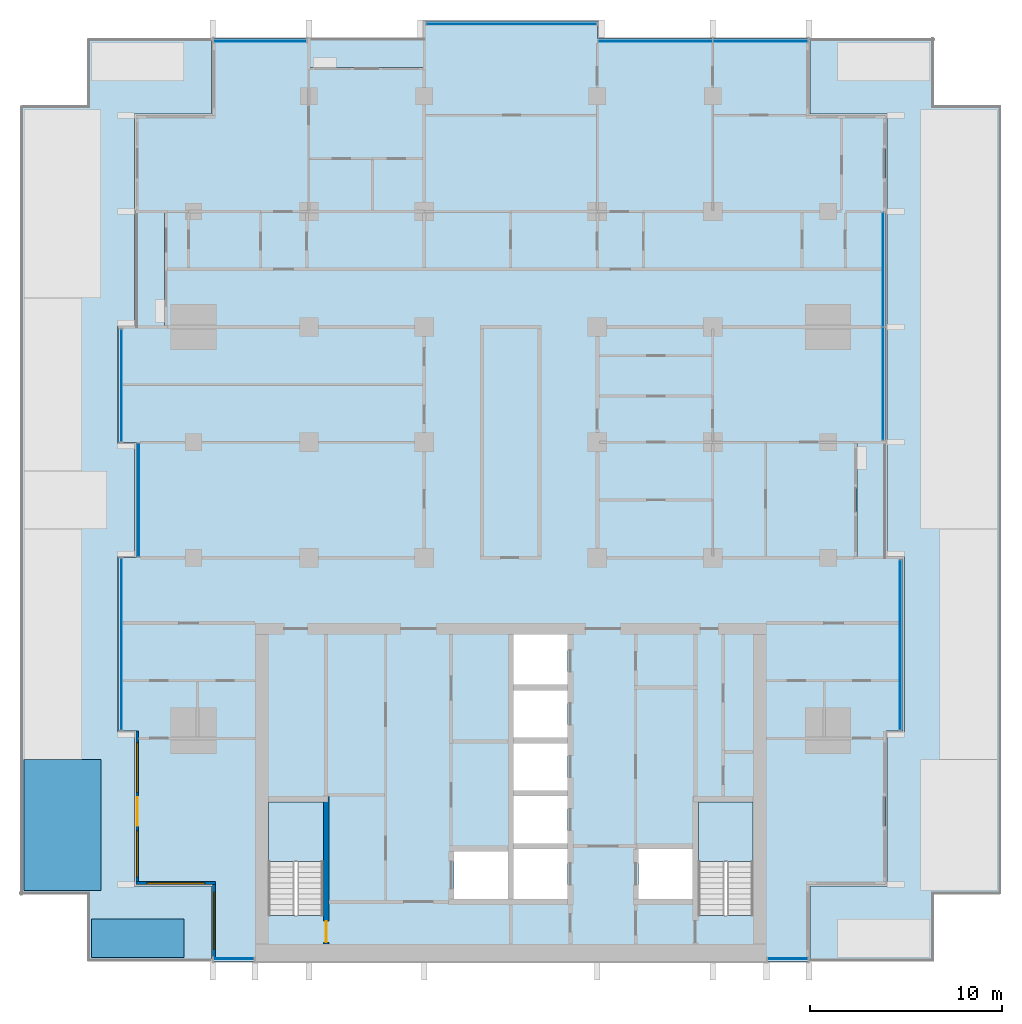
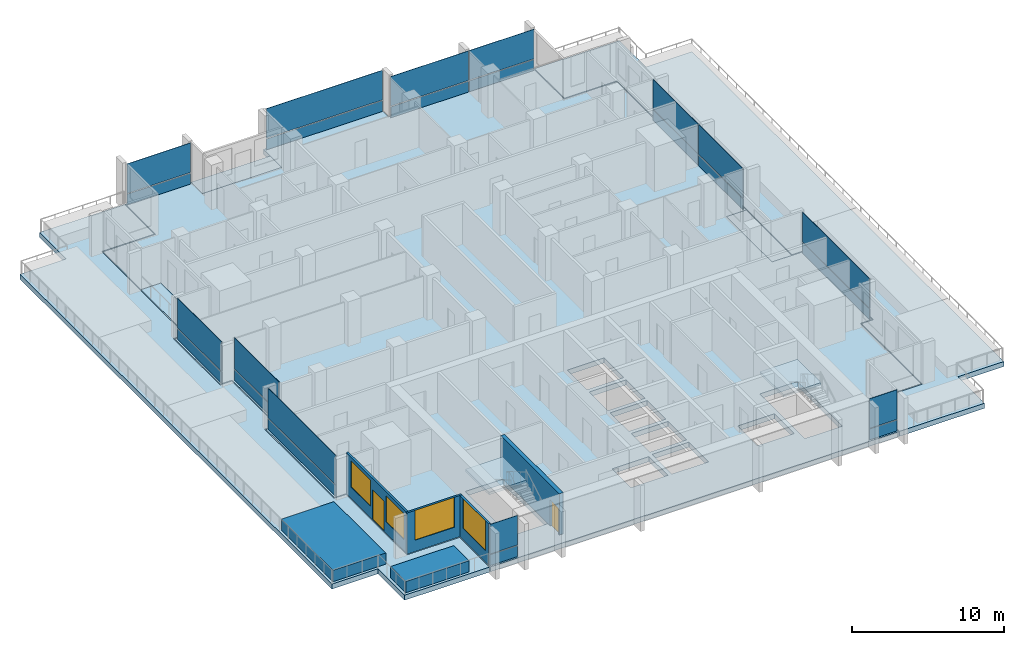
# One storey, part 6 of 18: 24 plates, 8 slabs, 6 walls, 4 windows, 2 doors, 6 openings, 12 elements without a shape of their own.
"""IFC4 building model written with IfcOpenShell, lengths in metres."""

from ifc_helpers import new_model, si_unit, direction, frame, frame_2d, origin, origin_2d, place, context, subcontext, project, spatial, polyline, rectangle, outline, extrude, material, layer, layer_set, type_object, element, fill, aggregate, save


model = new_model("IFC4")

# Units and contexts
model_context = context("Model", 3, precision=1e-05, world=origin(), true_north=direction((0.0, 1.0)))
body_context = subcontext(model_context, "Body", "Model", "MODEL_VIEW")
ifc_project = project(units=[si_unit("LENGTHUNIT", "METRE"), si_unit("AREAUNIT", "SQUARE_METRE"), si_unit("VOLUMEUNIT", "CUBIC_METRE"), si_unit("PLANEANGLEUNIT", "RADIAN"), si_unit("MASSUNIT", "GRAM", prefix="KILO")], contexts=[model_context])

# Site, building, storey
site_placement = place(None, origin())
site = spatial("IfcSite", under=ifc_project, at=site_placement, CompositionType="ELEMENT")
building_placement = place(site_placement, origin())
building = spatial("IfcBuilding", under=site, at=building_placement, Name="Finial Court Residences", CompositionType="ELEMENT")
storey_placement = place(building_placement, frame((0.0, 0.0, 149.300048828125)))
storey = spatial("IfcBuildingStorey", under=building, at=storey_placement, Name="L36", CompositionType="ELEMENT", Elevation=149.300048828125)

# Slabs
ifc_material_1 = material(Name="Concrete C35/45", Category="concrete")
ifc_layer_1 = layer(ifc_material_1, 0.199951171875)
ifc_layer_set_1 = layer_set([ifc_layer_1], Name="Balcony slab, Concrete C35/45 200")
slab_type_1 = type_object("IfcSlabType", Name="Balcony slab, Concrete C35/45 200", PredefinedType="FLOOR", material=ifc_layer_set_1)
slab_1_placement = place(storey_placement, frame((0.0, 0.0, -0.199951171875)))
element("IfcSlab", 1, at=slab_1_placement, inside=storey, type_object=slab_type_1, Name="Balcony L36-N2", PredefinedType="FLOOR", context=body_context, shape_type="SweptSolid", body=[
    extrude(outline(polyline([(-4.5, 21.0), (-4.5, 22.5), (-10.5, 22.5), (-10.5, 21.0), (-4.5, 21.0)])), origin(), (0.0, 0.0, 1.0), 0.199951171875),
])
slab_2_placement = place(storey_placement, frame((0.0, 0.0, -0.199951171875)))
element("IfcSlab", 2, at=slab_2_placement, inside=storey, type_object=slab_type_1, Name="Balcony L36-E3", PredefinedType="FLOOR", context=body_context, shape_type="SweptSolid", body=[
    extrude(outline(polyline([(19.5, -4.5), (19.5, 1.5), (18.0, 1.5), (18.0, -4.5), (19.5, -4.5)])), origin(), (0.0, 0.0, 1.0), 0.199951171875),
])
slab_3_placement = place(storey_placement, frame((0.0, 0.0, -0.199951171875)))
element("IfcSlab", 3, at=slab_3_placement, inside=storey, type_object=slab_type_1, Name="Balcony L36-W5", PredefinedType="FLOOR", context=body_context, shape_type="SweptSolid", body=[
    extrude(outline(polyline([(-18.0, 7.5), (-18.0, 13.5), (-19.5, 13.5), (-19.5, 7.5), (-18.0, 7.5)])), origin(), (0.0, 0.0, 1.0), 0.199951171875),
])

# Curtain wall, plate
ifc_material_2 = material(Name="Bronze anodised aluminium", Category="aluminium")
curtain_wall_type = type_object("IfcCurtainWallType", Name="Unitised curtain wall, upper zones", PredefinedType="NOTDEFINED", material=ifc_material_2)
curtain_wall_1_placement = place(storey_placement, origin())
curtain_wall_1 = element("IfcCurtainWall", 4, at=curtain_wall_1_placement, inside=storey, type_object=curtain_wall_type, Name="E-L36-CW-N1", PredefinedType="NOTDEFINED")
ifc_layer_2 = layer(ifc_material_2, 0.035888671875)
ifc_layer_set_2 = layer_set([ifc_layer_2], Name="CW2 spandrel panel 36")
plate_type_1 = type_object("IfcPlateType", Name="CW2 spandrel panel 36", PredefinedType="CURTAIN_PANEL", material=ifc_layer_set_2)
plate_1_placement = place(storey_placement, frame((-13.03759765625, 22.35009765625, 0.0), z_axis=(0.0, 0.0, 1.0), x_axis=(1.0, 0.0, 0.0)))
plate_1 = element("IfcPlate", 5, at=plate_1_placement, type_object=plate_type_1, Name="CW2 spandrel 1.1", PredefinedType="CURTAIN_PANEL", context=body_context, shape_type="SweptSolid", body=[
    extrude(rectangle(XDim=4.804931640625, YDim=0.035888671875, at=origin_2d()), origin(), (0.0, 0.0, 1.0), 0.8701171875),
])

curtain_wall_2_placement = place(storey_placement, origin())
curtain_wall_2 = element("IfcCurtainWall", 6, at=curtain_wall_2_placement, inside=storey, type_object=curtain_wall_type, Name="E-L36-CW-N2", PredefinedType="NOTDEFINED")
plate_2_placement = place(storey_placement, frame((0.03759765625, 23.25, 0.0), z_axis=(0.0, 0.0, 1.0), x_axis=(1.0, 0.0, 0.0)))
plate_2 = element("IfcPlate", 7, at=plate_2_placement, type_object=plate_type_1, Name="CW2 spandrel 1.1", PredefinedType="CURTAIN_PANEL", context=body_context, shape_type="SweptSolid", body=[
    extrude(rectangle(XDim=8.804931640625, YDim=0.035888671875, at=origin_2d()), origin(), (0.0, 0.0, 1.0), 0.8701171875),
])

# Curtain wall, plates
curtain_wall_3_placement = place(storey_placement, origin())
curtain_wall_3 = element("IfcCurtainWall", 8, at=curtain_wall_3_placement, inside=storey, type_object=curtain_wall_type, Name="E-L36-CW-N3", PredefinedType="NOTDEFINED")
plate_3_placement = place(storey_placement, frame((7.514892578125, 22.35009765625, 0.0), z_axis=(0.0, 0.0, 1.0), x_axis=(1.0, 0.0, 0.0)))
plate_3 = element("IfcPlate", 9, at=plate_3_placement, type_object=plate_type_1, Name="CW2 spandrel 1.1", PredefinedType="CURTAIN_PANEL", context=body_context, shape_type="SweptSolid", body=[
    extrude(rectangle(XDim=5.909912109375, YDim=0.035888671875, at=origin_2d()), origin(), (0.0, 0.0, 1.0), 0.8701171875),
])
plate_4_placement = place(storey_placement, frame((12.985107421875, 22.35009765625, 0.0), z_axis=(0.0, 0.0, 1.0), x_axis=(1.0, 0.0, 0.0)))
plate_4 = element("IfcPlate", 10, at=plate_4_placement, type_object=plate_type_1, Name="CW2 spandrel 2.1", PredefinedType="CURTAIN_PANEL", context=body_context, shape_type="SweptSolid", body=[
    extrude(rectangle(XDim=4.909912109375, YDim=0.035888671875, at=origin_2d()), origin(), (0.0, 0.0, 1.0), 0.8701171875),
])

# Curtain wall, plate
curtain_wall_4_placement = place(storey_placement, origin())
curtain_wall_4 = element("IfcCurtainWall", 11, at=curtain_wall_4_placement, inside=storey, type_object=curtain_wall_type, Name="E-L36-CW-E4", PredefinedType="NOTDEFINED")
plate_5_placement = place(storey_placement, frame((20.25, -9.03759765625, 0.0), z_axis=(0.0, 0.0, 1.0), x_axis=(0.0, 1.0, 0.0)))
plate_5 = element("IfcPlate", 12, at=plate_5_placement, type_object=plate_type_1, Name="CW2 spandrel 1.1", PredefinedType="CURTAIN_PANEL", context=body_context, shape_type="SweptSolid", body=[
    extrude(rectangle(XDim=8.804931640625, YDim=0.035888671875, at=origin_2d()), origin(), (0.0, 0.0, 1.0), 0.8701171875),
])

# Curtain wall, plates
curtain_wall_5_placement = place(storey_placement, origin())
curtain_wall_5 = element("IfcCurtainWall", 13, at=curtain_wall_5_placement, inside=storey, type_object=curtain_wall_type, Name="E-L36-CW-E5", PredefinedType="NOTDEFINED")
plate_6_placement = place(storey_placement, frame((19.35009765625, 4.552490234375, 0.0), z_axis=(0.0, 0.0, 1.0), x_axis=(0.0, 1.0, 0.0)))
plate_6 = element("IfcPlate", 14, at=plate_6_placement, type_object=plate_type_1, Name="CW2 spandrel 1.1", PredefinedType="CURTAIN_PANEL", context=body_context, shape_type="SweptSolid", body=[
    extrude(rectangle(XDim=5.8349609375, YDim=0.035888671875, at=origin_2d()), origin(), (0.0, 0.0, 1.0), 0.8701171875),
])
plate_7_placement = place(storey_placement, frame((19.35009765625, 10.485107421875, 0.0), z_axis=(0.0, 0.0, 1.0), x_axis=(0.0, 1.0, 0.0)))
plate_7 = element("IfcPlate", 15, at=plate_7_placement, type_object=plate_type_1, Name="CW2 spandrel 2.1", PredefinedType="CURTAIN_PANEL", context=body_context, shape_type="SweptSolid", body=[
    extrude(rectangle(XDim=5.909912109375, YDim=0.035888671875, at=origin_2d()), origin(), (0.0, 0.0, 1.0), 0.8701171875),
])

# Curtain wall, plate
curtain_wall_6_placement = place(storey_placement, origin())
curtain_wall_6 = element("IfcCurtainWall", 16, at=curtain_wall_6_placement, inside=storey, type_object=curtain_wall_type, Name="E-L36-CW-S6", PredefinedType="NOTDEFINED")
plate_8_placement = place(storey_placement, frame((-14.39990234375, -25.35009765625, 0.0), z_axis=(0.0, 0.0, 1.0), x_axis=(1.0, 0.0, 0.0)))
plate_8 = element("IfcPlate", 17, at=plate_8_placement, type_object=plate_type_1, Name="CW2 spandrel 1.1", PredefinedType="CURTAIN_PANEL", context=body_context, shape_type="SweptSolid", body=[
    extrude(rectangle(XDim=2.080078125, YDim=0.035888671875, at=origin_2d()), origin(), (0.0, 0.0, 1.0), 0.8701171875),
])

curtain_wall_7_placement = place(storey_placement, origin())
curtain_wall_7 = element("IfcCurtainWall", 18, at=curtain_wall_7_placement, inside=storey, type_object=curtain_wall_type, Name="E-L36-CW-S7", PredefinedType="NOTDEFINED")
plate_9_placement = place(storey_placement, frame((14.39990234375, -25.35009765625, 0.0), z_axis=(0.0, 0.0, 1.0), x_axis=(1.0, 0.0, 0.0)))
plate_9 = element("IfcPlate", 19, at=plate_9_placement, type_object=plate_type_1, Name="CW2 spandrel 1.1", PredefinedType="CURTAIN_PANEL", context=body_context, shape_type="SweptSolid", body=[
    extrude(rectangle(XDim=2.080078125, YDim=0.035888671875, at=origin_2d()), origin(), (0.0, 0.0, 1.0), 0.8701171875),
])

curtain_wall_8_placement = place(storey_placement, origin())
curtain_wall_8 = element("IfcCurtainWall", 20, at=curtain_wall_8_placement, inside=storey, type_object=curtain_wall_type, Name="E-L36-CW-W8", PredefinedType="NOTDEFINED")
plate_10_placement = place(storey_placement, frame((-20.25, -9.0, 0.0), z_axis=(0.0, 0.0, 1.0), x_axis=(0.0, 1.0, 0.0)))
plate_10 = element("IfcPlate", 21, at=plate_10_placement, type_object=plate_type_1, Name="CW2 spandrel 1.1", PredefinedType="CURTAIN_PANEL", context=body_context, shape_type="SweptSolid", body=[
    extrude(rectangle(XDim=8.8798828125, YDim=0.035888671875, at=origin_2d()), origin(), (0.0, 0.0, 1.0), 0.8701171875),
])

curtain_wall_9_placement = place(storey_placement, origin())
curtain_wall_9 = element("IfcCurtainWall", 22, at=curtain_wall_9_placement, inside=storey, type_object=curtain_wall_type, Name="E-L36-CW-W9", PredefinedType="NOTDEFINED")
plate_11_placement = place(storey_placement, frame((-19.35009765625, -1.5, 0.0), z_axis=(0.0, 0.0, 1.0), x_axis=(0.0, 1.0, 0.0)))
plate_11 = element("IfcPlate", 23, at=plate_11_placement, type_object=plate_type_1, Name="CW2 spandrel 1.1", PredefinedType="CURTAIN_PANEL", context=body_context, shape_type="SweptSolid", body=[
    extrude(rectangle(XDim=5.8798828125, YDim=0.035888671875, at=origin_2d()), origin(), (0.0, 0.0, 1.0), 0.8701171875),
])

curtain_wall_10_placement = place(storey_placement, origin())
curtain_wall_10 = element("IfcCurtainWall", 24, at=curtain_wall_10_placement, inside=storey, type_object=curtain_wall_type, Name="E-L36-CW-W10", PredefinedType="NOTDEFINED")
plate_12_placement = place(storey_placement, frame((-20.25, 4.46240234375, 0.0), z_axis=(0.0, 0.0, 1.0), x_axis=(0.0, 1.0, 0.0)))
plate_12 = element("IfcPlate", 25, at=plate_12_placement, type_object=plate_type_1, Name="CW2 spandrel 1.1", PredefinedType="CURTAIN_PANEL", context=body_context, shape_type="SweptSolid", body=[
    extrude(rectangle(XDim=5.804931640625, YDim=0.035888671875, at=origin_2d()), origin(), (0.0, 0.0, 1.0), 0.8701171875),
])

# Plate
ifc_material_3 = material(Name="Clear low-e glass", Category="glass")
ifc_layer_3 = layer(ifc_material_3, 0.030029296875)
ifc_layer_set_3 = layer_set([ifc_layer_3], Name="CW2 vision glass 30")
plate_type_2 = type_object("IfcPlateType", Name="CW2 vision glass 30", PredefinedType="CURTAIN_PANEL", material=ifc_layer_set_3)
plate_13_placement = place(storey_placement, frame((-13.03759765625, 22.35009765625, 0.929931640625), z_axis=(0.0, 0.0, 1.0), x_axis=(1.0, 0.0, 0.0)))
plate_13 = element("IfcPlate", 26, at=plate_13_placement, type_object=plate_type_2, Name="CW2 glass 1.2", PredefinedType="CURTAIN_PANEL", context=body_context, shape_type="SweptSolid", body=[
    extrude(rectangle(XDim=4.804931640625, YDim=0.030029296875, at=origin_2d()), origin(), (0.0, 0.0, 1.0), 2.3701171875),
])

aggregate(curtain_wall_1, [plate_1, plate_13])

plate_14_placement = place(storey_placement, frame((0.03759765625, 23.25, 0.929931640625), z_axis=(0.0, 0.0, 1.0), x_axis=(1.0, 0.0, 0.0)))
plate_14 = element("IfcPlate", 27, at=plate_14_placement, type_object=plate_type_2, Name="CW2 glass 1.2", PredefinedType="CURTAIN_PANEL", context=body_context, shape_type="SweptSolid", body=[
    extrude(rectangle(XDim=8.804931640625, YDim=0.030029296875, at=origin_2d()), origin(), (0.0, 0.0, 1.0), 2.3701171875),
])

aggregate(curtain_wall_2, [plate_2, plate_14])

plate_15_placement = place(storey_placement, frame((7.514892578125, 22.35009765625, 0.929931640625), z_axis=(0.0, 0.0, 1.0), x_axis=(1.0, 0.0, 0.0)))
plate_15 = element("IfcPlate", 28, at=plate_15_placement, type_object=plate_type_2, Name="CW2 glass 1.2", PredefinedType="CURTAIN_PANEL", context=body_context, shape_type="SweptSolid", body=[
    extrude(rectangle(XDim=5.909912109375, YDim=0.030029296875, at=origin_2d()), origin(), (0.0, 0.0, 1.0), 2.3701171875),
])

plate_16_placement = place(storey_placement, frame((12.985107421875, 22.35009765625, 0.929931640625), z_axis=(0.0, 0.0, 1.0), x_axis=(1.0, 0.0, 0.0)))
plate_16 = element("IfcPlate", 29, at=plate_16_placement, type_object=plate_type_2, Name="CW2 glass 2.2", PredefinedType="CURTAIN_PANEL", context=body_context, shape_type="SweptSolid", body=[
    extrude(rectangle(XDim=4.909912109375, YDim=0.030029296875, at=origin_2d()), origin(), (0.0, 0.0, 1.0), 2.3701171875),
])

aggregate(curtain_wall_3, [plate_3, plate_15, plate_4, plate_16])

plate_17_placement = place(storey_placement, frame((20.25, -9.03759765625, 0.929931640625), z_axis=(0.0, 0.0, 1.0), x_axis=(0.0, 1.0, 0.0)))
plate_17 = element("IfcPlate", 30, at=plate_17_placement, type_object=plate_type_2, Name="CW2 glass 1.2", PredefinedType="CURTAIN_PANEL", context=body_context, shape_type="SweptSolid", body=[
    extrude(rectangle(XDim=8.804931640625, YDim=0.030029296875, at=origin_2d()), origin(), (0.0, 0.0, 1.0), 2.3701171875),
])

aggregate(curtain_wall_4, [plate_5, plate_17])

plate_18_placement = place(storey_placement, frame((19.35009765625, 4.552490234375, 0.929931640625), z_axis=(0.0, 0.0, 1.0), x_axis=(0.0, 1.0, 0.0)))
plate_18 = element("IfcPlate", 31, at=plate_18_placement, type_object=plate_type_2, Name="CW2 glass 1.2", PredefinedType="CURTAIN_PANEL", context=body_context, shape_type="SweptSolid", body=[
    extrude(rectangle(XDim=5.8349609375, YDim=0.030029296875, at=origin_2d()), origin(), (0.0, 0.0, 1.0), 2.3701171875),
])

plate_19_placement = place(storey_placement, frame((19.35009765625, 10.485107421875, 0.929931640625), z_axis=(0.0, 0.0, 1.0), x_axis=(0.0, 1.0, 0.0)))
plate_19 = element("IfcPlate", 32, at=plate_19_placement, type_object=plate_type_2, Name="CW2 glass 2.2", PredefinedType="CURTAIN_PANEL", context=body_context, shape_type="SweptSolid", body=[
    extrude(rectangle(XDim=5.909912109375, YDim=0.030029296875, at=origin_2d()), origin(), (0.0, 0.0, 1.0), 2.3701171875),
])

aggregate(curtain_wall_5, [plate_6, plate_18, plate_7, plate_19])

plate_20_placement = place(storey_placement, frame((-14.39990234375, -25.35009765625, 0.929931640625), z_axis=(0.0, 0.0, 1.0), x_axis=(1.0, 0.0, 0.0)))
plate_20 = element("IfcPlate", 33, at=plate_20_placement, type_object=plate_type_2, Name="CW2 glass 1.2", PredefinedType="CURTAIN_PANEL", context=body_context, shape_type="SweptSolid", body=[
    extrude(rectangle(XDim=2.080078125, YDim=0.030029296875, at=origin_2d()), origin(), (0.0, 0.0, 1.0), 2.3701171875),
])

aggregate(curtain_wall_6, [plate_8, plate_20])

plate_21_placement = place(storey_placement, frame((14.39990234375, -25.35009765625, 0.929931640625), z_axis=(0.0, 0.0, 1.0), x_axis=(1.0, 0.0, 0.0)))
plate_21 = element("IfcPlate", 34, at=plate_21_placement, type_object=plate_type_2, Name="CW2 glass 1.2", PredefinedType="CURTAIN_PANEL", context=body_context, shape_type="SweptSolid", body=[
    extrude(rectangle(XDim=2.080078125, YDim=0.030029296875, at=origin_2d()), origin(), (0.0, 0.0, 1.0), 2.3701171875),
])

aggregate(curtain_wall_7, [plate_9, plate_21])

plate_22_placement = place(storey_placement, frame((-20.25, -9.0, 0.929931640625), z_axis=(0.0, 0.0, 1.0), x_axis=(0.0, 1.0, 0.0)))
plate_22 = element("IfcPlate", 35, at=plate_22_placement, type_object=plate_type_2, Name="CW2 glass 1.2", PredefinedType="CURTAIN_PANEL", context=body_context, shape_type="SweptSolid", body=[
    extrude(rectangle(XDim=8.8798828125, YDim=0.030029296875, at=origin_2d()), origin(), (0.0, 0.0, 1.0), 2.3701171875),
])

aggregate(curtain_wall_8, [plate_10, plate_22])

plate_23_placement = place(storey_placement, frame((-19.35009765625, -1.5, 0.93017578125), z_axis=(0.0, 0.0, 1.0), x_axis=(0.0, 1.0, 0.0)))
plate_23 = element("IfcPlate", 36, at=plate_23_placement, type_object=plate_type_2, Name="CW2 glass 1.2", PredefinedType="CURTAIN_PANEL", context=body_context, shape_type="SweptSolid", body=[
    extrude(rectangle(XDim=5.8798828125, YDim=0.030029296875, at=origin_2d()), origin(), (0.0, 0.0, 1.0), 2.469970703125),
])

aggregate(curtain_wall_9, [plate_11, plate_23])

plate_24_placement = place(storey_placement, frame((-20.25, 4.46240234375, 0.929931640625), z_axis=(0.0, 0.0, 1.0), x_axis=(0.0, 1.0, 0.0)))
plate_24 = element("IfcPlate", 37, at=plate_24_placement, type_object=plate_type_2, Name="CW2 glass 1.2", PredefinedType="CURTAIN_PANEL", context=body_context, shape_type="SweptSolid", body=[
    extrude(rectangle(XDim=5.804931640625, YDim=0.030029296875, at=origin_2d()), origin(), (0.0, 0.0, 1.0), 2.3701171875),
])

aggregate(curtain_wall_10, [plate_12, plate_24])

# Stair, slab
ifc_material_4 = material(Name="Concrete C50/60", Category="concrete")
stair_type = type_object("IfcStairType", Name="Exit stair 22 risers of 163.6 mm", PredefinedType="HALF_TURN_STAIR", material=ifc_material_4)
stair_1_placement = place(storey_placement, origin())
stair_1 = element("IfcStair", 38, at=stair_1_placement, inside=storey, type_object=stair_type, Name="L36 Exit stair ST-1", PredefinedType="HALF_TURN_STAIR")
ifc_layer_4 = layer(ifc_material_4, 0.199951171875)
ifc_layer_set_4 = layer_set([ifc_layer_4], Name="Exit stair landing")
slab_type_2 = type_object("IfcSlabType", Name="Exit stair landing", PredefinedType="LANDING", material=ifc_layer_set_4)
slab_4_placement = place(storey_placement, frame((0.0, 0.0, 1.599853515625)))
slab_4 = element("IfcSlab", 39, at=slab_4_placement, type_object=slab_type_2, Name="ST-1 landing 1", PredefinedType="LANDING", context=body_context, shape_type="SweptSolid", body=[
    extrude(outline(polyline([(-9.75, -20.300048828125), (-9.75, -17.199951171875), (-12.60009765625, -17.199951171875), (-12.60009765625, -20.300048828125), (-9.75, -20.300048828125)])), origin(), (0.0, 0.0, 1.0), 0.2001953125),
])
aggregate(stair_1, [slab_4])

stair_2_placement = place(storey_placement, origin())
stair_2 = element("IfcStair", 40, at=stair_2_placement, inside=storey, type_object=stair_type, Name="L36 Exit stair ST-2", PredefinedType="HALF_TURN_STAIR")
slab_5_placement = place(storey_placement, frame((0.0, 0.0, 1.599853515625)))
slab_5 = element("IfcSlab", 41, at=slab_5_placement, type_object=slab_type_2, Name="ST-2 landing 1", PredefinedType="LANDING", context=body_context, shape_type="SweptSolid", body=[
    extrude(outline(polyline([(12.60009765625, -20.300048828125), (12.60009765625, -17.199951171875), (9.75, -17.199951171875), (9.75, -20.300048828125), (12.60009765625, -20.300048828125)])), origin(), (0.0, 0.0, 1.0), 0.2001953125),
])
aggregate(stair_2, [slab_5])

# Slabs
ifc_material_5 = material(Name="Concrete C40/50", Category="concrete")
ifc_layer_5 = layer(ifc_material_5, 0.39990234375)
ifc_layer_set_5 = layer_set([ifc_layer_5], Name="Flat plate slab 400 Concrete C40/50")
slab_type_3 = type_object("IfcSlabType", Name="Flat plate slab 400 Concrete C40/50", PredefinedType="FLOOR", material=ifc_layer_set_5)
slab_6_placement = place(storey_placement, frame((0.0, 0.0, -0.400146484375)))
element("IfcSlab", 42, at=slab_6_placement, inside=storey, type_object=slab_type_3, Name="S:SLAB:L36", PredefinedType="FLOOR", context=body_context, shape_type="SweptSolid", body=[
    extrude(outline(polyline([(-19.5, 1.5), (-20.39990234375, 1.5), (-20.39990234375, 7.5), (-19.5, 7.5), (-18.0, 7.5), (-18.0, 13.5), (-19.5, 13.5), (-19.5, 18.5), (-15.5, 18.5), (-15.5, 22.5), (-10.5, 22.5), (-10.5, 21.0), (-4.5, 21.0), (-4.5, 22.5), (-4.5, 23.39990234375), (4.5, 23.39990234375), (4.5, 22.5), (15.5, 22.5), (15.5, 18.5), (19.5, 18.5), (19.5, 1.5), (18.0, 1.5), (18.0, -4.5), (19.5, -4.5), (20.39990234375, -4.5), (20.39990234375, -13.5), (19.5, -13.5), (19.5, -21.5), (15.5, -21.5), (15.5, -25.5), (-15.5, -25.5), (-15.5, -21.5), (-19.5, -21.5), (-19.5, -13.5), (-20.39990234375, -13.5), (-20.39990234375, -4.5), (-19.5, -4.5), (-19.5, 1.5)]), holes=[polyline([(-0.14990234375, -19.77001953125), (-2.949951171875, -19.77001953125), (-2.949951171875, -22.25), (-0.14990234375, -22.25), (-0.14990234375, -19.77001953125)]), polyline([(2.949951171875, -19.64990234375), (0.14990234375, -19.64990234375), (0.14990234375, -22.25), (2.949951171875, -22.25), (2.949951171875, -19.64990234375)]), polyline([(9.449951171875, -19.64990234375), (6.64990234375, -19.64990234375), (6.64990234375, -22.25), (9.449951171875, -22.25), (9.449951171875, -19.64990234375)]), polyline([(-12.60009765625, -17.199951171875), (-12.60009765625, -23.09912109375), (-9.75, -23.09912109375), (-9.75, -17.199951171875), (-12.60009765625, -17.199951171875)]), polyline([(9.75, -17.199951171875), (9.75, -23.09912109375), (12.60009765625, -23.09912109375), (12.60009765625, -17.199951171875), (9.75, -17.199951171875)]), polyline([(2.949951171875, -16.89990234375), (0.14990234375, -16.89990234375), (0.14990234375, -19.35009765625), (2.949951171875, -19.35009765625), (2.949951171875, -16.89990234375)]), polyline([(2.949951171875, -14.14990234375), (0.14990234375, -14.14990234375), (0.14990234375, -16.60009765625), (2.949951171875, -16.60009765625), (2.949951171875, -14.14990234375)]), polyline([(2.949951171875, -13.85009765625), (2.949951171875, -11.39990234375), (0.14990234375, -11.39990234375), (0.14990234375, -13.85009765625), (2.949951171875, -13.85009765625)]), polyline([(2.949951171875, -11.10009765625), (2.949951171875, -8.5), (0.14990234375, -8.5), (0.14990234375, -11.10009765625), (2.949951171875, -11.10009765625)])]), origin(), (0.0, 0.0, 1.0), 0.400146484375),
])
ifc_layer_6 = layer(ifc_material_5, 0.39990234375)
ifc_layer_set_6 = layer_set([ifc_layer_6], Name="Terrace slab, Concrete C40/50 400")
slab_type_4 = type_object("IfcSlabType", Name="Terrace slab, Concrete C40/50 400", PredefinedType="FLOOR", material=ifc_layer_set_6)
slab_7_placement = place(storey_placement, frame((0.0, 0.0, -0.400146484375)))
element("IfcSlab", 43, at=slab_7_placement, inside=storey, type_object=slab_type_4, Name="Terrace L36 1", PredefinedType="FLOOR", context=body_context, shape_type="SweptSolid", body=[
    extrude(outline(polyline([(22.0, 22.5), (22.0, 19.0), (25.5, 19.0), (25.5, -22.0), (22.0, -22.0), (22.0, -25.5), (15.56005859375, -25.5), (15.56005859375, -21.56005859375), (19.56005859375, -21.56005859375), (19.56005859375, -13.56005859375), (20.4599609375, -13.56005859375), (20.4599609375, -4.43994140625), (19.56005859375, -4.43994140625), (19.56005859375, 18.56005859375), (15.56005859375, 18.56005859375), (15.56005859375, 22.5), (22.0, 22.5)])), origin(), (0.0, 0.0, 1.0), 0.400146484375),
])
slab_8_placement = place(storey_placement, frame((0.0, 0.0, -0.400146484375)))
element("IfcSlab", 44, at=slab_8_placement, inside=storey, type_object=slab_type_4, Name="Terrace L36 2", PredefinedType="FLOOR", context=body_context, shape_type="SweptSolid", body=[
    extrude(outline(polyline([(-25.5, -22.0), (-25.5, 19.0), (-22.0, 19.0), (-22.0, 22.5), (-15.56005859375, 22.5), (-15.56005859375, 18.56005859375), (-19.56005859375, 18.56005859375), (-19.56005859375, 7.56005859375), (-20.4599609375, 7.56005859375), (-20.4599609375, 1.43994140625), (-19.56005859375, 1.43994140625), (-19.56005859375, -4.43994140625), (-20.4599609375, -4.43994140625), (-20.4599609375, -13.56005859375), (-19.56005859375, -13.56005859375), (-19.56005859375, -21.56005859375), (-15.56005859375, -21.56005859375), (-15.56005859375, -25.5), (-22.0, -25.5), (-22.0, -22.0), (-25.5, -22.0)])), origin(), (0.0, 0.0, 1.0), 0.400146484375),
])

# Wall, opening, door
ifc_material_6 = material(Name="Concrete C70/85", Category="concrete")
ifc_layer_7 = layer(ifc_material_6, 0.300048828125)
ifc_layer_set_7 = layer_set([ifc_layer_7], Name="Lift shaft and stair wall 300 Concrete C70/85")
wall_type_1 = type_object("IfcWallType", Name="Lift shaft and stair wall 300 Concrete C70/85", PredefinedType="SHEAR", material=ifc_layer_set_7)
wall_1_placement = place(storey_placement, frame((-9.60009765625, -24.60009765625, 0.0), z_axis=(0.0, 0.0, 1.0), x_axis=(0.0, 1.0, 0.0)))
wall_1 = element("IfcWall", 45, at=wall_1_placement, inside=storey, type_object=wall_type_1, Name="Core wall L36-17", PredefinedType="SHEAR", context=body_context, shape_type="SweptSolid", body=[
    extrude(rectangle(XDim=7.7001953125, YDim=0.300048828125, at=frame_2d((3.85009765625, 0.0))), origin(), (0.0, 0.0, 1.0), 3.300048828125),
])
opening_1_placement = place(wall_1_placement, frame((0.10009765625, 0.0, 0.0)))
opening_1 = element("IfcOpeningElement", 46, at=opening_1_placement, cuts=wall_1, Name="Opening L36-C17", PredefinedType="OPENING", context=body_context, shape_type="SweptSolid", body=[
    extrude(rectangle(XDim=1.10009765625, YDim=2.10009765625, at=frame_2d((0.550048828125, 1.050048828125))), frame((0.0, 0.159912109375, 0.0), z_axis=(0.0, -1.0, 0.0), x_axis=(1.0, 0.0, 0.0)), (0.0, 0.0, 1.0), 0.320068359375),
])
ifc_material_7 = material(Name="Steel fire door", Category="steel")
door_type_1 = type_object("IfcDoorType", Name="Stair door 1100 x 2100 EI 90", OperationType="NOTDEFINED", PredefinedType="DOOR", material=ifc_material_7)
door_1_placement = place(opening_1_placement, origin())
door_1 = element("IfcDoor", 47, at=door_1_placement, inside=storey, type_object=door_type_1, Name="Stair door L36-C17", OperationType="SINGLE_SWING_LEFT", OverallHeight=2.10009765625, OverallWidth=1.10009765625, PredefinedType="DOOR", context=body_context, shape_type="SweptSolid", body=[
    extrude(rectangle(XDim=1.10009765625, YDim=2.10009765625, at=frame_2d((0.550048828125, 1.050048828125))), frame((0.0, 0.02490234375, 0.0), z_axis=(0.0, -1.0, 0.0), x_axis=(1.0, 0.0, 0.0)), (0.0, 0.0, 1.0), 0.050048828125),
])
fill(opening_1, door_1)

# Wall, opening, window
ifc_material_8 = material(Name="Natural limestone", Category="masonry")
ifc_layer_8 = layer(ifc_material_8, 0.14990234375)
ifc_layer_set_8 = layer_set([ifc_layer_8], Name="Limestone clad wall 150")
wall_type_2 = type_object("IfcWallType", Name="Limestone clad wall 150", PredefinedType="SOLIDWALL", material=ifc_layer_set_8)
wall_2_placement = place(storey_placement, frame((-15.425048828125, -25.262451171875, 0.0), z_axis=(0.0, 0.0, 1.0), x_axis=(0.0, 1.0, 0.0)))
wall_2 = element("IfcWall", 48, at=wall_2_placement, inside=storey, type_object=wall_type_2, Name="E-L36-NWW11", PredefinedType="SOLIDWALL", context=body_context, shape_type="SweptSolid", body=[
    extrude(rectangle(XDim=3.762451171875, YDim=0.14990234375, at=frame_2d((1.88134765625, 0.0))), origin(), (0.0, 0.0, 1.0), 3.300048828125),
])
opening_2_placement = place(wall_2_placement, frame((0.401123046875, 0.0, 0.89990234375)))
opening_2 = element("IfcOpeningElement", 49, at=opening_2_placement, cuts=wall_2, Name="Opening WE36-01", PredefinedType="OPENING", context=body_context, shape_type="SweptSolid", body=[
    extrude(rectangle(XDim=2.9599609375, YDim=2.39990234375, at=frame_2d((1.47998046875, 1.199951171875))), frame((0.0, 0.0849609375, 0.0), z_axis=(0.0, -1.0, 0.0), x_axis=(1.0, 0.0, 0.0)), (0.0, 0.0, 1.0), 0.169921875),
])
window_type_1 = type_object("IfcWindowType", Name="Corner window 2960 x 2400", PartitioningType="SINGLE_PANEL", PredefinedType="WINDOW", material=ifc_material_3)
window_1_placement = place(opening_2_placement, origin())
window_1 = element("IfcWindow", 50, at=window_1_placement, inside=storey, type_object=window_type_1, Name="E-L36-NWW11-W1", OverallHeight=2.39990234375, OverallWidth=2.9599609375, PartitioningType="SINGLE_PANEL", PredefinedType="WINDOW", context=body_context, shape_type="SweptSolid", body=[
    extrude(rectangle(XDim=2.9599609375, YDim=2.39990234375, at=frame_2d((1.47998046875, 1.199951171875))), frame((0.0, 0.030029296875, 0.0), z_axis=(0.0, -1.0, 0.0), x_axis=(1.0, 0.0, 0.0)), (0.0, 0.0, 1.0), 0.06005859375),
])
fill(opening_2, window_1)

wall_3_placement = place(storey_placement, frame((-15.35009765625, -21.425048828125, 0.0), z_axis=(0.0, 0.0, 1.0), x_axis=(-1.0, 0.0, 0.0)))
wall_3 = element("IfcWall", 51, at=wall_3_placement, inside=storey, type_object=wall_type_2, Name="E-L36-NWS12", PredefinedType="SOLIDWALL", context=body_context, shape_type="SweptSolid", body=[
    extrude(rectangle(XDim=4.14990234375, YDim=0.14990234375, at=frame_2d((2.074951171875, 0.0))), origin(), (0.0, 0.0, 1.0), 3.300048828125),
])
opening_3_placement = place(wall_3_placement, frame((0.574951171875, 0.0, 0.89990234375)))
opening_3 = element("IfcOpeningElement", 52, at=opening_3_placement, cuts=wall_3, Name="Opening WE36-02", PredefinedType="OPENING", context=body_context, shape_type="SweptSolid", body=[
    extrude(rectangle(XDim=3.0, YDim=2.39990234375, at=frame_2d((1.5, 1.199951171875))), frame((0.0, 0.0849609375, 0.0), z_axis=(0.0, -1.0, 0.0), x_axis=(1.0, 0.0, 0.0)), (0.0, 0.0, 1.0), 0.169921875),
])
window_type_2 = type_object("IfcWindowType", Name="Corner window 3000 x 2400", PartitioningType="SINGLE_PANEL", PredefinedType="WINDOW", material=ifc_material_3)
window_2_placement = place(opening_3_placement, origin())
window_2 = element("IfcWindow", 53, at=window_2_placement, inside=storey, type_object=window_type_2, Name="E-L36-NWS12-W1", OverallHeight=2.39990234375, OverallWidth=3.0, PartitioningType="SINGLE_PANEL", PredefinedType="WINDOW", context=body_context, shape_type="SweptSolid", body=[
    extrude(rectangle(XDim=3.0, YDim=2.39990234375, at=frame_2d((1.5, 1.199951171875))), frame((0.0, 0.030029296875, 0.0), z_axis=(0.0, -1.0, 0.0), x_axis=(1.0, 0.0, 0.0)), (0.0, 0.0, 1.0), 0.06005859375),
])
fill(opening_3, window_2)

# Wall, openings, door, windows
wall_4_placement = place(storey_placement, frame((-19.425048828125, -21.35009765625, 0.0), z_axis=(0.0, 0.0, 1.0), x_axis=(0.0, 1.0, 0.0)))
wall_4 = element("IfcWall", 54, at=wall_4_placement, inside=storey, type_object=wall_type_2, Name="E-L36-L36-TD3-W", PredefinedType="SOLIDWALL", context=body_context, shape_type="SweptSolid", body=[
    extrude(rectangle(XDim=7.85009765625, YDim=0.14990234375, at=frame_2d((3.925048828125, 0.0))), origin(), (0.0, 0.0, 1.0), 3.300048828125),
])
opening_4_placement = place(wall_4_placement, frame((2.89990234375, 0.0, 0.0)))
opening_4 = element("IfcOpeningElement", 55, at=opening_4_placement, cuts=wall_4, Name="Opening DE36-06", PredefinedType="OPENING", context=body_context, shape_type="SweptSolid", body=[
    extrude(rectangle(XDim=1.5, YDim=2.39990234375, at=frame_2d((0.75, 1.199951171875))), frame((0.0, 0.0849609375, 0.0), z_axis=(0.0, -1.0, 0.0), x_axis=(1.0, 0.0, 0.0)), (0.0, 0.0, 1.0), 0.169921875),
])
opening_5_placement = place(wall_4_placement, frame((0.25, 0.0, 0.89990234375)))
opening_5 = element("IfcOpeningElement", 56, at=opening_5_placement, cuts=wall_4, Name="Opening WE36-19", PredefinedType="OPENING", context=body_context, shape_type="SweptSolid", body=[
    extrude(rectangle(XDim=2.39990234375, YDim=2.10009765625, at=frame_2d((1.199951171875, 1.050048828125))), frame((0.0, 0.0849609375, 0.0), z_axis=(0.0, -1.0, 0.0), x_axis=(1.0, 0.0, 0.0)), (0.0, 0.0, 1.0), 0.169921875),
])
opening_6_placement = place(wall_4_placement, frame((4.64990234375, 0.0, 0.89990234375)))
opening_6 = element("IfcOpeningElement", 57, at=opening_6_placement, cuts=wall_4, Name="Opening WE36-20", PredefinedType="OPENING", context=body_context, shape_type="SweptSolid", body=[
    extrude(rectangle(XDim=2.574951171875, YDim=2.10009765625, at=frame_2d((1.28759765625, 1.050048828125))), frame((0.0, 0.0849609375, 0.0), z_axis=(0.0, -1.0, 0.0), x_axis=(1.0, 0.0, 0.0)), (0.0, 0.0, 1.0), 0.169921875),
])
door_type_2 = type_object("IfcDoorType", Name="Terrace door 1500 x 2400", OperationType="DOUBLE_DOOR_SINGLE_SWING", PredefinedType="DOOR", material=ifc_material_2)
door_2_placement = place(opening_4_placement, origin())
door_2 = element("IfcDoor", 58, at=door_2_placement, inside=storey, type_object=door_type_2, Name="E-L36-L36-TD3-W-D", OperationType="DOUBLE_DOOR_SINGLE_SWING", OverallHeight=2.39990234375, OverallWidth=1.5, PredefinedType="DOOR", context=body_context, shape_type="SweptSolid", body=[
    extrude(rectangle(XDim=1.5, YDim=2.39990234375, at=frame_2d((0.75, 1.199951171875))), frame((0.0, 0.02490234375, 0.0), z_axis=(0.0, -1.0, 0.0), x_axis=(1.0, 0.0, 0.0)), (0.0, 0.0, 1.0), 0.050048828125),
])
fill(opening_4, door_2)
window_type_3 = type_object("IfcWindowType", Name="Terrace window 2400 x 2100", PartitioningType="SINGLE_PANEL", PredefinedType="WINDOW", material=ifc_material_3)
window_3_placement = place(opening_5_placement, origin())
window_3 = element("IfcWindow", 59, at=window_3_placement, inside=storey, type_object=window_type_3, Name="E-L36-L36-TD3-W-W1", OverallHeight=2.10009765625, OverallWidth=2.39990234375, PartitioningType="SINGLE_PANEL", PredefinedType="WINDOW", context=body_context, shape_type="SweptSolid", body=[
    extrude(rectangle(XDim=2.39990234375, YDim=2.10009765625, at=frame_2d((1.199951171875, 1.050048828125))), frame((0.0, 0.030029296875, 0.0), z_axis=(0.0, -1.0, 0.0), x_axis=(1.0, 0.0, 0.0)), (0.0, 0.0, 1.0), 0.06005859375),
])
fill(opening_5, window_3)
window_type_4 = type_object("IfcWindowType", Name="Terrace window 2575 x 2100", PartitioningType="SINGLE_PANEL", PredefinedType="WINDOW", material=ifc_material_3)
window_4_placement = place(opening_6_placement, origin())
window_4 = element("IfcWindow", 60, at=window_4_placement, inside=storey, type_object=window_type_4, Name="E-L36-L36-TD3-W-W2", OverallHeight=2.10009765625, OverallWidth=2.574951171875, PartitioningType="SINGLE_PANEL", PredefinedType="WINDOW", context=body_context, shape_type="SweptSolid", body=[
    extrude(rectangle(XDim=2.574951171875, YDim=2.10009765625, at=frame_2d((1.28759765625, 1.050048828125))), frame((0.0, 0.030029296875, 0.0), z_axis=(0.0, -1.0, 0.0), x_axis=(1.0, 0.0, 0.0)), (0.0, 0.0, 1.0), 0.06005859375),
])
fill(opening_6, window_4)

# Walls
ifc_layer_9 = layer(ifc_material_5, 0.199951171875)
ifc_material_9 = material(Name="Planting soil", Category="soil")
ifc_layer_10 = layer(ifc_material_9, 1.60009765625)
ifc_layer_11 = layer(ifc_material_5, 0.199951171875)
ifc_layer_set_9 = layer_set([ifc_layer_9, ifc_layer_10, ifc_layer_11], Name="Planter wall, terrace 2000")
wall_type_3 = type_object("IfcWallType", Name="Planter wall, terrace 2000", PredefinedType="USERDEFINED", material=ifc_layer_set_9)
wall_5_placement = place(storey_placement, frame((-21.800048828125, -24.300048828125, 0.0), z_axis=(0.0, 0.0, 1.0), x_axis=(1.0, 0.0, 0.0)))
element("IfcWall", 61, at=wall_5_placement, inside=storey, type_object=wall_type_3, Name="E-L36-TER2-PL6", ObjectType="PLANTER", PredefinedType="USERDEFINED", context=body_context, shape_type="SweptSolid", body=[
    extrude(rectangle(XDim=4.800048828125, YDim=2.0, at=frame_2d((2.39990234375, 0.0))), origin(), (0.0, 0.0, 1.0), 0.89990234375),
])
ifc_layer_12 = layer(ifc_material_5, 0.199951171875)
ifc_layer_13 = layer(ifc_material_9, 3.60009765625)
ifc_layer_14 = layer(ifc_material_5, 0.199951171875)
ifc_layer_set_10 = layer_set([ifc_layer_12, ifc_layer_13, ifc_layer_14], Name="Planter wall, terrace 4000")
wall_type_4 = type_object("IfcWallType", Name="Planter wall, terrace 4000", PredefinedType="USERDEFINED", material=ifc_layer_set_10)
wall_6_placement = place(storey_placement, frame((-23.300048828125, -21.800048828125, 0.0), z_axis=(0.0, 0.0, 1.0), x_axis=(0.0, 1.0, 0.0)))
element("IfcWall", 62, at=wall_6_placement, inside=storey, type_object=wall_type_4, Name="E-L36-TER2-PL3", ObjectType="PLANTER", PredefinedType="USERDEFINED", context=body_context, shape_type="SweptSolid", body=[
    extrude(rectangle(XDim=6.800048828125, YDim=4.0, at=frame_2d((3.39990234375, 0.0))), origin(), (0.0, 0.0, 1.0), 0.89990234375),
])

save(model, "model.ifc")
